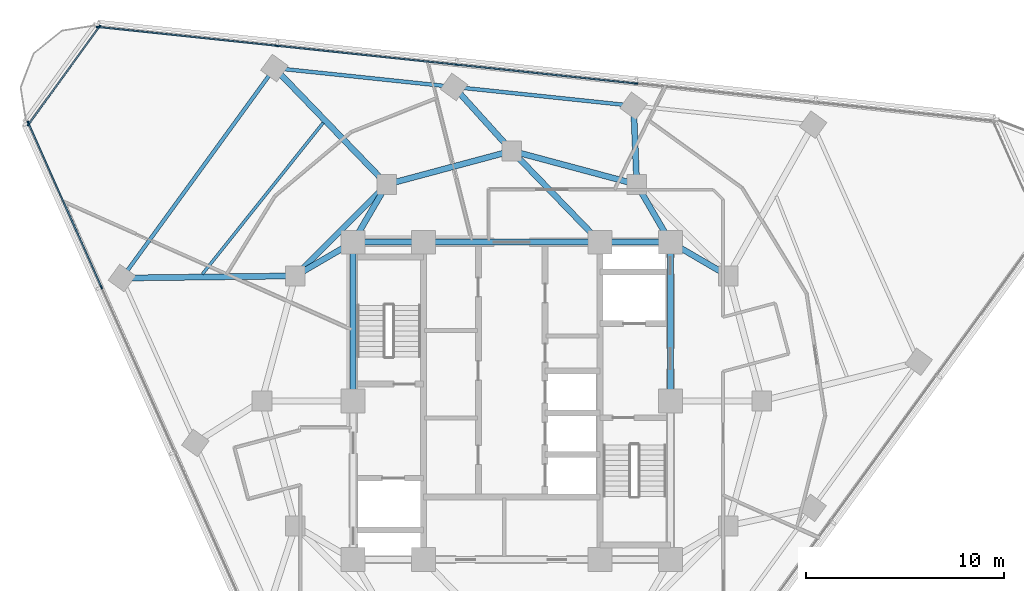
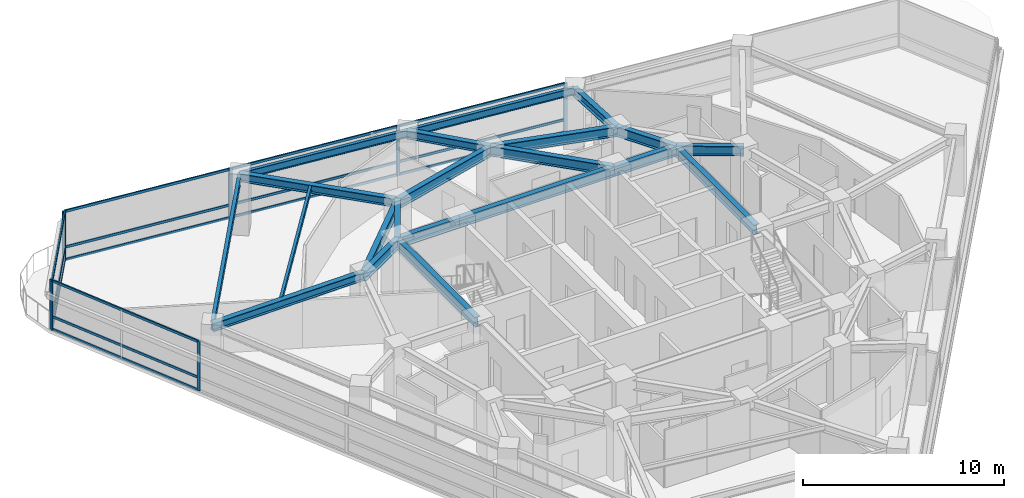
# One storey, part 5 of 15: 23 members, 21 beams, 3 elements without a shape of their own.
"""IFC4 building model written with IfcOpenShell, lengths in metres."""

from ifc_helpers import new_model, si_unit, direction, frame, origin, origin_2d, place, context, subcontext, project, spatial, rectangle, i_section, extrude, material, layer, layer_set, material_profile, profile_set, type_object, element, aggregate, save


model = new_model("IFC4")

# Units and contexts
model_context = context("Model", 3, precision=1e-05, world=origin(), true_north=direction((0.0, 1.0)))
body_context = subcontext(model_context, "Body", "Model", "MODEL_VIEW")
ifc_project = project(units=[si_unit("LENGTHUNIT", "METRE"), si_unit("AREAUNIT", "SQUARE_METRE"), si_unit("VOLUMEUNIT", "CUBIC_METRE"), si_unit("PLANEANGLEUNIT", "RADIAN"), si_unit("MASSUNIT", "GRAM", prefix="KILO")], contexts=[model_context])

# Site, building, storey
site_placement = place(None, origin())
site = spatial("IfcSite", under=ifc_project, at=site_placement, CompositionType="ELEMENT")
building_placement = place(site_placement, origin())
building = spatial("IfcBuilding", under=site, at=building_placement, Name="Terralouvre Media Tower", CompositionType="ELEMENT")
storey_placement = place(building_placement, frame((0.0, 0.0, 230.0)))
storey = spatial("IfcBuildingStorey", under=building, at=storey_placement, Name="L59", CompositionType="ELEMENT", Elevation=230.0)

# Beam
ifc_material_1 = material(Name="Structural steel S355J2", Category="steel")
ifc_material_profile_1 = material_profile(ifc_material_1, i_section(OverallWidth=0.14990234375, OverallDepth=0.300048828125, WebThickness=0.007080078125, FlangeThickness=0.0107421875, at=origin_2d()), Name="IPE 300")
ifc_profile_set_1 = profile_set([ifc_material_profile_1], Name="Structural steel S355J2")
beam_type_1 = type_object("IfcBeamType", Name="Composite Floor Joist J-IPE300 (IPE 300)", PredefinedType="JOIST", material=ifc_profile_set_1)
beam_1_placement = place(storey_placement, frame((-9.507568359375, 14.0205078125, 3.35009765625), z_axis=(-0.623938489158, -0.781473455561, 0.0), x_axis=(0.781473455561, -0.623938489158, 0.0)))
element("IfcBeam", 1, at=beam_1_placement, inside=storey, type_object=beam_type_1, Name="L59 Framing Beam JT-L59-05", PredefinedType="JOIST", context=body_context, shape_type="SweptSolid", body=[
    extrude(i_section(OverallWidth=0.14990234375, OverallDepth=0.300048828125, WebThickness=0.007080078125, FlangeThickness=0.0107421875, at=origin_2d()), origin(), (0.0, 0.0, 1.0), 9.763427734375),
])

# Curtain wall, members
ifc_material_2 = material(Name="Low-iron laminated double glazing with solar-control coating", Category="glass")
ifc_layer_1 = layer(ifc_material_2, 0.1650390625, Name="Upper Executive Tower Curtain Wall CW-05")
ifc_layer_set_1 = layer_set([ifc_layer_1], Name="Low-iron laminated double glazing with solar-control coating")
curtain_wall_type_1 = type_object("IfcCurtainWallType", Name="Upper Executive Tower Curtain Wall CW-05", PredefinedType="NOTDEFINED", material=ifc_layer_set_1)
curtain_wall_1_placement = place(storey_placement, origin())
curtain_wall_1 = element("IfcCurtainWall", 2, at=curtain_wall_1_placement, inside=storey, type_object=curtain_wall_type_1, Name="L59 Facade Curtain Wall F1", PredefinedType="NOTDEFINED")
ifc_material_3 = material(Name="Anodised extruded aluminium 6063-T6", Category="aluminium")
ifc_material_profile_2 = material_profile(ifc_material_3, rectangle(XDim=0.074951171875, YDim=0.14990234375, at=origin_2d()), Name="ALU 75x150")
ifc_profile_set_2 = profile_set([ifc_material_profile_2], Name="Anodised extruded aluminium 6063-T6")
member_type_1 = type_object("IfcMemberType", Name="Curtain-Wall Horizontal Transom TR-150", PredefinedType="USERDEFINED", material=ifc_profile_set_2)
member_1_placement = place(storey_placement, frame((6.21923828125, 16.002197265625, 0.03759765625), z_axis=(-0.994522041896, 0.104527069141, 0.0), x_axis=(-0.104527069141, -0.994522041896, 0.0)))
member_1 = element("IfcMember", 3, at=member_1_placement, type_object=member_type_1, Name="CW-05 transom 3.1", ObjectType="TRANSOM", PredefinedType="USERDEFINED", context=body_context, shape_type="SweptSolid", body=[
    extrude(rectangle(XDim=0.074951171875, YDim=0.14990234375, at=origin_2d()), origin(), (0.0, 0.0, 1.0), 9.025146484375),
])
member_2_placement = place(storey_placement, frame((6.21923828125, 16.002197265625, 0.800048828125), z_axis=(-0.994522041896, 0.104527069141, 0.0), x_axis=(-0.104527069141, -0.994522041896, 0.0)))
member_2 = element("IfcMember", 4, at=member_2_placement, type_object=member_type_1, Name="CW-05 transom 3.2", ObjectType="TRANSOM", PredefinedType="USERDEFINED", context=body_context, shape_type="SweptSolid", body=[
    extrude(rectangle(XDim=0.074951171875, YDim=0.14990234375, at=origin_2d()), origin(), (0.0, 0.0, 1.0), 9.025146484375),
])
member_3_placement = place(storey_placement, frame((6.21923828125, 16.002197265625, 2.96240234375), z_axis=(-0.994522041896, 0.104527069141, 0.0), x_axis=(-0.104527069141, -0.994522041896, 0.0)))
member_3 = element("IfcMember", 5, at=member_3_placement, type_object=member_type_1, Name="CW-05 transom 3.3", ObjectType="TRANSOM", PredefinedType="USERDEFINED", context=body_context, shape_type="SweptSolid", body=[
    extrude(rectangle(XDim=0.074951171875, YDim=0.14990234375, at=origin_2d()), origin(), (0.0, 0.0, 1.0), 9.025146484375),
])
member_4_placement = place(storey_placement, frame((-2.830810546875, 16.95361328125, 0.03759765625), z_axis=(-0.994522041896, 0.104527069141, 0.0), x_axis=(-0.104527069141, -0.994522041896, 0.0)))
member_4 = element("IfcMember", 6, at=member_4_placement, type_object=member_type_1, Name="CW-05 transom 4.1", ObjectType="TRANSOM", PredefinedType="USERDEFINED", context=body_context, shape_type="SweptSolid", body=[
    extrude(rectangle(XDim=0.074951171875, YDim=0.14990234375, at=origin_2d()), origin(), (0.0, 0.0, 1.0), 9.025146484375),
])
member_5_placement = place(storey_placement, frame((-2.830810546875, 16.95361328125, 0.800048828125), z_axis=(-0.994522041896, 0.104527069141, 0.0), x_axis=(-0.104527069141, -0.994522041896, 0.0)))
member_5 = element("IfcMember", 7, at=member_5_placement, type_object=member_type_1, Name="CW-05 transom 4.2", ObjectType="TRANSOM", PredefinedType="USERDEFINED", context=body_context, shape_type="SweptSolid", body=[
    extrude(rectangle(XDim=0.074951171875, YDim=0.14990234375, at=origin_2d()), origin(), (0.0, 0.0, 1.0), 9.025146484375),
])
member_6_placement = place(storey_placement, frame((-2.830810546875, 16.95361328125, 2.96240234375), z_axis=(-0.994522041896, 0.104527069141, 0.0), x_axis=(-0.104527069141, -0.994522041896, 0.0)))
member_6 = element("IfcMember", 8, at=member_6_placement, type_object=member_type_1, Name="CW-05 transom 4.3", ObjectType="TRANSOM", PredefinedType="USERDEFINED", context=body_context, shape_type="SweptSolid", body=[
    extrude(rectangle(XDim=0.074951171875, YDim=0.14990234375, at=origin_2d()), origin(), (0.0, 0.0, 1.0), 9.025146484375),
])
member_7_placement = place(storey_placement, frame((-11.881103515625, 17.90478515625, 0.03759765625), z_axis=(-0.994521813919, 0.104529238206, 0.0), x_axis=(-0.104529238206, -0.994521813919, 0.0)))
member_7 = element("IfcMember", 9, at=member_7_placement, type_object=member_type_1, Name="CW-05 transom 5.1", ObjectType="TRANSOM", PredefinedType="USERDEFINED", context=body_context, shape_type="SweptSolid", body=[
    extrude(rectangle(XDim=0.074951171875, YDim=0.14990234375, at=origin_2d()), origin(), (0.0, 0.0, 1.0), 8.987548828125),
])
member_8_placement = place(storey_placement, frame((-11.881103515625, 17.90478515625, 0.800048828125), z_axis=(-0.994521813919, 0.104529238206, 0.0), x_axis=(-0.104529238206, -0.994521813919, 0.0)))
member_8 = element("IfcMember", 10, at=member_8_placement, type_object=member_type_1, Name="CW-05 transom 5.2", ObjectType="TRANSOM", PredefinedType="USERDEFINED", context=body_context, shape_type="SweptSolid", body=[
    extrude(rectangle(XDim=0.074951171875, YDim=0.14990234375, at=origin_2d()), origin(), (0.0, 0.0, 1.0), 8.987548828125),
])
member_9_placement = place(storey_placement, frame((-11.881103515625, 17.90478515625, 2.96240234375), z_axis=(-0.994521813919, 0.104529238206, 0.0), x_axis=(-0.104529238206, -0.994521813919, 0.0)))
member_9 = element("IfcMember", 11, at=member_9_placement, type_object=member_type_1, Name="CW-05 transom 5.3", ObjectType="TRANSOM", PredefinedType="USERDEFINED", context=body_context, shape_type="SweptSolid", body=[
    extrude(rectangle(XDim=0.074951171875, YDim=0.14990234375, at=origin_2d()), origin(), (0.0, 0.0, 1.0), 8.987548828125),
])

curtain_wall_2_placement = place(storey_placement, origin())
curtain_wall_2 = element("IfcCurtainWall", 12, at=curtain_wall_2_placement, inside=storey, type_object=curtain_wall_type_1, Name="L59 Facade Curtain Wall F2", PredefinedType="NOTDEFINED")
member_10_placement = place(storey_placement, frame((-24.35546875, 13.97705078125, 0.03759765625), z_axis=(0.406758390963, -0.913535774549, 0.0), x_axis=(0.913535774549, 0.406758390963, 0.0)))
member_10 = element("IfcMember", 13, at=member_10_placement, type_object=member_type_1, Name="CW-05 transom 1.1", ObjectType="TRANSOM", PredefinedType="USERDEFINED", context=body_context, shape_type="SweptSolid", body=[
    extrude(rectangle(XDim=0.074951171875, YDim=0.14990234375, at=origin_2d()), origin(), (0.0, 0.0, 1.0), 8.987548828125),
])
member_11_placement = place(storey_placement, frame((-24.35546875, 13.97705078125, 0.800048828125), z_axis=(0.406758390963, -0.913535774549, 0.0), x_axis=(0.913535774549, 0.406758390963, 0.0)))
member_11 = element("IfcMember", 14, at=member_11_placement, type_object=member_type_1, Name="CW-05 transom 1.2", ObjectType="TRANSOM", PredefinedType="USERDEFINED", context=body_context, shape_type="SweptSolid", body=[
    extrude(rectangle(XDim=0.074951171875, YDim=0.14990234375, at=origin_2d()), origin(), (0.0, 0.0, 1.0), 8.987548828125),
])
member_12_placement = place(storey_placement, frame((-24.35546875, 13.97705078125, 2.96240234375), z_axis=(0.406758390963, -0.913535774549, 0.0), x_axis=(0.913535774549, 0.406758390963, 0.0)))
member_12 = element("IfcMember", 15, at=member_12_placement, type_object=member_type_1, Name="CW-05 transom 1.3", ObjectType="TRANSOM", PredefinedType="USERDEFINED", context=body_context, shape_type="SweptSolid", body=[
    extrude(rectangle(XDim=0.074951171875, YDim=0.14990234375, at=origin_2d()), origin(), (0.0, 0.0, 1.0), 8.987548828125),
])

ifc_material_4 = material(Name="Low-iron laminated double glazing with solar-control coating", Category="glass")
ifc_layer_2 = layer(ifc_material_4, 0.1650390625, Name="Rounded Wind-Corner Curved Glazing CW-04")
ifc_layer_set_2 = layer_set([ifc_layer_2], Name="Low-iron laminated double glazing with solar-control coating")
curtain_wall_type_2 = type_object("IfcCurtainWallType", Name="Rounded Wind-Corner Curved Glazing CW-04", PredefinedType="NOTDEFINED", material=ifc_layer_set_2)
curtain_wall_3_placement = place(storey_placement, origin())
curtain_wall_3 = element("IfcCurtainWall", 16, at=curtain_wall_3_placement, inside=storey, type_object=curtain_wall_type_2, Name="L59 Rounded Wind-Corner Curtain Wall C2", PredefinedType="NOTDEFINED")
member_13_placement = place(storey_placement, frame((-20.812255859375, 18.828369140625, 0.03759765625), z_axis=(-0.58777959511, -0.809021104528, 0.0), x_axis=(0.809021104528, -0.58777959511, 0.0)))
member_13 = element("IfcMember", 17, at=member_13_placement, type_object=member_type_1, Name="CW-04 transom 1.1", ObjectType="TRANSOM", PredefinedType="USERDEFINED", context=body_context, shape_type="SweptSolid", body=[
    extrude(rectangle(XDim=0.074951171875, YDim=0.14990234375, at=origin_2d()), origin(), (0.0, 0.0, 1.0), 5.99853515625),
])
member_14_placement = place(storey_placement, frame((-20.812255859375, 18.828369140625, 0.800048828125), z_axis=(-0.58777959511, -0.809021104528, 0.0), x_axis=(0.809021104528, -0.58777959511, 0.0)))
member_14 = element("IfcMember", 18, at=member_14_placement, type_object=member_type_1, Name="CW-04 transom 1.2", ObjectType="TRANSOM", PredefinedType="USERDEFINED", context=body_context, shape_type="SweptSolid", body=[
    extrude(rectangle(XDim=0.074951171875, YDim=0.14990234375, at=origin_2d()), origin(), (0.0, 0.0, 1.0), 5.99853515625),
])
member_15_placement = place(storey_placement, frame((-20.812255859375, 18.828369140625, 2.96240234375), z_axis=(-0.58777959511, -0.809021104528, 0.0), x_axis=(0.809021104528, -0.58777959511, 0.0)))
member_15 = element("IfcMember", 19, at=member_15_placement, type_object=member_type_1, Name="CW-04 transom 1.3", ObjectType="TRANSOM", PredefinedType="USERDEFINED", context=body_context, shape_type="SweptSolid", body=[
    extrude(rectangle(XDim=0.074951171875, YDim=0.14990234375, at=origin_2d()), origin(), (0.0, 0.0, 1.0), 5.99853515625),
])

# Member
ifc_material_5 = material(Name="Anodised extruded aluminium 6063-T6", Category="aluminium")
ifc_material_profile_3 = material_profile(ifc_material_5, rectangle(XDim=0.074951171875, YDim=0.179931640625, at=origin_2d()), Name="ALU 75x180")
ifc_profile_set_3 = profile_set([ifc_material_profile_3], Name="Anodised extruded aluminium 6063-T6")
member_type_2 = type_object("IfcMemberType", Name="Curtain-Wall Vertical Mullion ML-180", PredefinedType="MULLION", material=ifc_profile_set_3)
member_16_placement = place(storey_placement, frame((6.256591796875, 15.998291015625, 0.0), z_axis=(0.0, 0.0, 1.0), x_axis=(-0.104528561651, -0.994521885028, 0.0)))
member_16 = element("IfcMember", 20, at=member_16_placement, type_object=member_type_2, Name="CW-05 mullion 3", PredefinedType="MULLION", context=body_context, shape_type="SweptSolid", body=[
    extrude(rectangle(XDim=0.074951171875, YDim=0.179931640625, at=origin_2d()), origin(), (0.0, 0.0, 1.0), 3.0),
])

member_17_placement = place(storey_placement, frame((-2.793701171875, 16.949462890625, 0.0), z_axis=(0.0, 0.0, 1.0), x_axis=(-0.104528561651, -0.994521885028, 0.0)))
member_17 = element("IfcMember", 21, at=member_17_placement, type_object=member_type_2, Name="CW-05 mullion 4", PredefinedType="MULLION", context=body_context, shape_type="SweptSolid", body=[
    extrude(rectangle(XDim=0.074951171875, YDim=0.179931640625, at=origin_2d()), origin(), (0.0, 0.0, 1.0), 3.0),
])

member_18_placement = place(storey_placement, frame((-11.84375, 17.90087890625, 0.0), z_axis=(0.0, 0.0, 1.0), x_axis=(-0.104528561651, -0.994521885028, 0.0)))
member_18 = element("IfcMember", 22, at=member_18_placement, type_object=member_type_2, Name="CW-05 mullion 5", PredefinedType="MULLION", context=body_context, shape_type="SweptSolid", body=[
    extrude(rectangle(XDim=0.074951171875, YDim=0.179931640625, at=origin_2d()), origin(), (0.0, 0.0, 1.0), 3.0),
])

member_19_placement = place(storey_placement, frame((-20.856689453125, 18.84814453125, 0.0), z_axis=(0.0, 0.0, 1.0), x_axis=(-0.104528561651, -0.994521885028, 0.0)))
member_19 = element("IfcMember", 23, at=member_19_placement, type_object=member_type_2, Name="CW-05 mullion 6", PredefinedType="MULLION", context=body_context, shape_type="SweptSolid", body=[
    extrude(rectangle(XDim=0.074951171875, YDim=0.179931640625, at=origin_2d()), origin(), (0.0, 0.0, 1.0), 3.0),
])

aggregate(curtain_wall_1, [member_16, member_17, member_18, member_19, member_1, member_2, member_3, member_4, member_5, member_6, member_7, member_8, member_9])

member_20_placement = place(storey_placement, frame((-24.37060546875, 14.011474609375, 0.0), z_axis=(0.0, 0.0, 1.0), x_axis=(0.913545441365, 0.406736679636, 0.0)))
member_20 = element("IfcMember", 24, at=member_20_placement, type_object=member_type_2, Name="CW-05 mullion 1", PredefinedType="MULLION", context=body_context, shape_type="SweptSolid", body=[
    extrude(rectangle(XDim=0.074951171875, YDim=0.179931640625, at=origin_2d()), origin(), (0.0, 0.0, 1.0), 3.0),
])

member_21_placement = place(storey_placement, frame((-20.6845703125, 5.732421875, 0.0), z_axis=(0.0, 0.0, 1.0), x_axis=(0.913545441365, 0.406736679636, 0.0)))
member_21 = element("IfcMember", 25, at=member_21_placement, type_object=member_type_2, Name="CW-05 mullion 2", PredefinedType="MULLION", context=body_context, shape_type="SweptSolid", body=[
    extrude(rectangle(XDim=0.074951171875, YDim=0.179931640625, at=origin_2d()), origin(), (0.0, 0.0, 1.0), 3.0),
])

aggregate(curtain_wall_2, [member_20, member_21, member_10, member_11, member_12])

member_22_placement = place(storey_placement, frame((-20.7900390625, 18.858642578125, 0.0), z_axis=(0.0, 0.0, 1.0), x_axis=(0.809016531067, -0.58778588998, 0.0)))
member_22 = element("IfcMember", 26, at=member_22_placement, type_object=member_type_2, Name="CW-04 mullion 1", PredefinedType="MULLION", context=body_context, shape_type="SweptSolid", body=[
    extrude(rectangle(XDim=0.074951171875, YDim=0.179931640625, at=origin_2d()), origin(), (0.0, 0.0, 1.0), 3.0),
])

member_23_placement = place(storey_placement, frame((-24.360107421875, 13.94482421875, 0.0), z_axis=(0.0, 0.0, 1.0), x_axis=(0.809016531067, -0.58778588998, 0.0)))
member_23 = element("IfcMember", 27, at=member_23_placement, type_object=member_type_2, Name="CW-04 mullion 2", PredefinedType="MULLION", context=body_context, shape_type="SweptSolid", body=[
    extrude(rectangle(XDim=0.074951171875, YDim=0.179931640625, at=origin_2d()), origin(), (0.0, 0.0, 1.0), 3.0),
])

aggregate(curtain_wall_3, [member_22, member_23, member_13, member_14, member_15])

# Beams
ifc_material_6 = material(Name="Structural steel S355J2", Category="steel")
ifc_material_profile_4 = material_profile(ifc_material_6, i_section(OverallWidth=0.18994140625, OverallDepth=0.449951171875, WebThickness=0.009521484375, FlangeThickness=0.0146484375, at=origin_2d()), Name="IPE 450")
ifc_profile_set_4 = profile_set([ifc_material_profile_4], Name="Structural steel S355J2")
beam_type_2 = type_object("IfcBeamType", Name="Perimeter Spandrel Beam SPB-450 (IPE 450)", PredefinedType="SPANDREL", material=ifc_profile_set_4)
beam_2_placement = place(storey_placement, frame((6.138427734375, 14.87451171875, 3.27490234375), z_axis=(-0.994522199081, 0.104525573596, 0.0), x_axis=(-0.104525573596, -0.994522199081, 0.0)))
element("IfcBeam", 28, at=beam_2_placement, inside=storey, type_object=beam_type_2, Name="L59 Framing Beam BM-L59-PR09", PredefinedType="SPANDREL", context=body_context, shape_type="SweptSolid", body=[
    extrude(i_section(OverallWidth=0.18994140625, OverallDepth=0.449951171875, WebThickness=0.009521484375, FlangeThickness=0.0146484375, at=origin_2d()), origin(), (0.0, 0.0, 1.0), 9.099853515625),
])
beam_3_placement = place(storey_placement, frame((-2.91162109375, 15.82568359375, 3.27490234375), z_axis=(-0.994522492191, 0.10452278472, 0.0), x_axis=(-0.10452278472, -0.994522492191, 0.0)))
element("IfcBeam", 29, at=beam_3_placement, inside=storey, type_object=beam_type_2, Name="L59 Framing Beam BM-L59-PR10", PredefinedType="SPANDREL", context=body_context, shape_type="SweptSolid", body=[
    extrude(i_section(OverallWidth=0.18994140625, OverallDepth=0.449951171875, WebThickness=0.009521484375, FlangeThickness=0.0146484375, at=origin_2d()), origin(), (0.0, 0.0, 1.0), 9.10009765625),
])
beam_4_placement = place(storey_placement, frame((-11.9619140625, 16.77685546875, 3.27490234375), z_axis=(-0.587794396272, -0.809010350806, 0.0), x_axis=(0.809010350806, -0.587794396272, 0.0)))
element("IfcBeam", 30, at=beam_4_placement, inside=storey, type_object=beam_type_2, Name="L59 Framing Beam BM-L59-PR11", PredefinedType="SPANDREL", context=body_context, shape_type="SweptSolid", body=[
    extrude(i_section(OverallWidth=0.18994140625, OverallDepth=0.449951171875, WebThickness=0.009521484375, FlangeThickness=0.0146484375, at=origin_2d()), origin(), (0.0, 0.0, 1.0), 13.08349609375),
])
ifc_material_7 = material(Name="Structural steel S355J2", Category="steel")
ifc_material_profile_5 = material_profile(ifc_material_7, i_section(OverallWidth=0.300048828125, OverallDepth=0.5, WebThickness=0.014404296875, FlangeThickness=0.028076171875, at=origin_2d()), Name="HEB 500")
ifc_profile_set_5 = profile_set([ifc_material_profile_5], Name="Structural steel S355J2")
beam_type_3 = type_object("IfcBeamType", Name="Primary Floor Girder B-HEB500 (HEB 500)", PredefinedType="BEAM", material=ifc_profile_set_5)
beam_5_placement = place(storey_placement, frame((6.300048828125, 10.911865234375, 3.25), z_axis=(-0.040752268141, 0.999169281274, 0.0), x_axis=(-0.999169281274, -0.040752268141, 0.0)))
element("IfcBeam", 31, at=beam_5_placement, inside=storey, type_object=beam_type_3, Name="L59 Framing Beam BM-L59-RD09", PredefinedType="BEAM", context=body_context, shape_type="SweptSolid", body=[
    extrude(i_section(OverallWidth=0.300048828125, OverallDepth=0.5, WebThickness=0.014404296875, FlangeThickness=0.028076171875, at=origin_2d()), origin(), (0.0, 0.0, 1.0), 3.9658203125),
])
beam_6_placement = place(storey_placement, frame((0.0, 12.60009765625, 3.25), z_axis=(-0.670056658177, 0.742309958732, 0.0), x_axis=(-0.742309958732, -0.670056658177, 0.0)))
element("IfcBeam", 32, at=beam_6_placement, inside=storey, type_object=beam_type_3, Name="L59 Framing Beam BM-L59-RD10", PredefinedType="BEAM", context=body_context, shape_type="SweptSolid", body=[
    extrude(i_section(OverallWidth=0.300048828125, OverallDepth=0.5, WebThickness=0.014404296875, FlangeThickness=0.028076171875, at=origin_2d()), origin(), (0.0, 0.0, 1.0), 4.34521484375),
])
beam_7_placement = place(storey_placement, frame((-6.300048828125, 10.911865234375, 3.25), z_axis=(-0.694538392484, 0.719455642389, 0.0), x_axis=(-0.719455642389, -0.694538392484, 0.0)))
element("IfcBeam", 33, at=beam_7_placement, inside=storey, type_object=beam_type_3, Name="L59 Framing Beam BM-L59-RD11", PredefinedType="BEAM", context=body_context, shape_type="SweptSolid", body=[
    extrude(i_section(OverallWidth=0.300048828125, OverallDepth=0.5, WebThickness=0.014404296875, FlangeThickness=0.028076171875, at=origin_2d()), origin(), (0.0, 0.0, 1.0), 8.152099609375),
])
beam_8_placement = place(storey_placement, frame((-10.911865234375, 6.300048828125, 3.25), z_axis=(-0.999923796559, -0.012345083045, 0.0), x_axis=(0.012345083045, -0.999923796559, 0.0)))
element("IfcBeam", 34, at=beam_8_placement, inside=storey, type_object=beam_type_3, Name="L59 Framing Beam BM-L59-RD12", PredefinedType="BEAM", context=body_context, shape_type="SweptSolid", body=[
    extrude(i_section(OverallWidth=0.300048828125, OverallDepth=0.5, WebThickness=0.014404296875, FlangeThickness=0.028076171875, at=origin_2d()), origin(), (0.0, 0.0, 1.0), 8.7412109375),
])
ifc_material_8 = material(Name="Structural steel S460M", Category="steel")
ifc_material_profile_6 = material_profile(ifc_material_8, i_section(OverallWidth=0.300048828125, OverallDepth=0.60009765625, WebThickness=0.015380859375, FlangeThickness=0.030029296875, at=origin_2d()), Name="HEB 600")
ifc_profile_set_6 = profile_set([ifc_material_profile_6], Name="Structural steel S460M")
beam_type_4 = type_object("IfcBeamType", Name="Primary Floor Girder B-HEB600 (HEB 600)", PredefinedType="BEAM", material=ifc_profile_set_6)
beam_9_placement = place(storey_placement, frame((8.0, 0.0, 3.199951171875), z_axis=(0.0, 1.0, 0.0), x_axis=(-1.0, 0.0, 0.0)))
element("IfcBeam", 35, at=beam_9_placement, inside=storey, type_object=beam_type_4, Name="L59 Framing Beam BM-L59-CPR05", PredefinedType="BEAM", context=body_context, shape_type="SweptSolid", body=[
    extrude(i_section(OverallWidth=0.300048828125, OverallDepth=0.60009765625, WebThickness=0.015380859375, FlangeThickness=0.030029296875, at=origin_2d()), origin(), (0.0, 0.0, 1.0), 8.0),
])
beam_10_placement = place(storey_placement, frame((8.0, 8.0, 3.199951171875), z_axis=(-1.0, 0.0, 0.0), x_axis=(0.0, -1.0, 0.0)))
element("IfcBeam", 36, at=beam_10_placement, inside=storey, type_object=beam_type_4, Name="L59 Framing Beam BM-L59-CPR06", PredefinedType="BEAM", context=body_context, shape_type="SweptSolid", body=[
    extrude(i_section(OverallWidth=0.300048828125, OverallDepth=0.60009765625, WebThickness=0.015380859375, FlangeThickness=0.030029296875, at=origin_2d()), origin(), (0.0, 0.0, 1.0), 3.550048828125),
])
beam_11_placement = place(storey_placement, frame((4.449951171875, 8.0, 3.199951171875), z_axis=(-1.0, 0.0, 0.0), x_axis=(0.0, -1.0, 0.0)))
element("IfcBeam", 37, at=beam_11_placement, inside=storey, type_object=beam_type_4, Name="L59 Framing Beam BM-L59-CPR07", PredefinedType="BEAM", context=body_context, shape_type="SweptSolid", body=[
    extrude(i_section(OverallWidth=0.300048828125, OverallDepth=0.60009765625, WebThickness=0.015380859375, FlangeThickness=0.030029296875, at=origin_2d()), origin(), (0.0, 0.0, 1.0), 8.89990234375),
])
beam_12_placement = place(storey_placement, frame((-4.449951171875, 8.0, 3.199951171875), z_axis=(-1.0, 0.0, 0.0), x_axis=(0.0, -1.0, 0.0)))
element("IfcBeam", 38, at=beam_12_placement, inside=storey, type_object=beam_type_4, Name="L59 Framing Beam BM-L59-CPR08", PredefinedType="BEAM", context=body_context, shape_type="SweptSolid", body=[
    extrude(i_section(OverallWidth=0.300048828125, OverallDepth=0.60009765625, WebThickness=0.015380859375, FlangeThickness=0.030029296875, at=origin_2d()), origin(), (0.0, 0.0, 1.0), 3.550048828125),
])
beam_13_placement = place(storey_placement, frame((-8.0, 8.0, 3.199951171875), z_axis=(0.0, -1.0, 0.0), x_axis=(1.0, 0.0, 0.0)))
element("IfcBeam", 39, at=beam_13_placement, inside=storey, type_object=beam_type_4, Name="L59 Framing Beam BM-L59-CPR09", PredefinedType="BEAM", context=body_context, shape_type="SweptSolid", body=[
    extrude(i_section(OverallWidth=0.300048828125, OverallDepth=0.60009765625, WebThickness=0.015380859375, FlangeThickness=0.030029296875, at=origin_2d()), origin(), (0.0, 0.0, 1.0), 8.0),
])
for number, where, z_axis, x_axis, name in (
    (40, (6.300048828125, 10.911865234375, 3.199951171875), (-0.965920481897, 0.258838989821, 0.0), (-0.258838989821, -0.965920481897, 0.0), "L59 Framing Beam BM-L59-MR08"),
    (41, (0.0, 12.60009765625, 3.199951171875), (-0.965920481897, -0.258838989821, 0.0), (0.258838989821, -0.965920481897, 0.0), "L59 Framing Beam BM-L59-MR09"),
):
    element("IfcBeam", number, at=place(storey_placement, frame(where, z_axis=z_axis, x_axis=x_axis)), inside=storey, type_object=beam_type_4, Name=name, PredefinedType="BEAM", context=body_context, shape_type="SweptSolid", body=[
        extrude(i_section(OverallWidth=0.300048828125, OverallDepth=0.60009765625, WebThickness=0.015380859375, FlangeThickness=0.030029296875, at=origin_2d()), origin(), (0.0, 0.0, 1.0), 6.522216796875),
    ])
beam_14_placement = place(storey_placement, frame((-6.300048828125, 10.911865234375, 3.199951171875), z_axis=(-0.707106781187, -0.707106781187, 0.0), x_axis=(0.707106781187, -0.707106781187, 0.0)))
element("IfcBeam", 42, at=beam_14_placement, inside=storey, type_object=beam_type_4, Name="L59 Framing Beam BM-L59-MR10", PredefinedType="BEAM", context=body_context, shape_type="SweptSolid", body=[
    extrude(i_section(OverallWidth=0.300048828125, OverallDepth=0.60009765625, WebThickness=0.015380859375, FlangeThickness=0.030029296875, at=origin_2d()), origin(), (0.0, 0.0, 1.0), 6.52197265625),
])
for number, where, z_axis, x_axis, name in (
    (43, (8.0, 8.0, 3.199951171875), (0.863602894532, -0.504172629717, 0.0), (0.504172629717, 0.863602894532, 0.0), "L59 Framing Beam BM-L59-CM07"),
    (44, (8.0, 8.0, 3.199951171875), (-0.504172629717, 0.863602894532, 0.0), (-0.863602894532, -0.504172629717, 0.0), "L59 Framing Beam BM-L59-CM08"),
):
    element("IfcBeam", number, at=place(storey_placement, frame(where, z_axis=z_axis, x_axis=x_axis)), inside=storey, type_object=beam_type_4, Name=name, PredefinedType="BEAM", context=body_context, shape_type="SweptSolid", body=[
        extrude(i_section(OverallWidth=0.300048828125, OverallDepth=0.60009765625, WebThickness=0.015380859375, FlangeThickness=0.030029296875, at=origin_2d()), origin(), (0.0, 0.0, 1.0), 3.371826171875),
    ])
beam_15_placement = place(storey_placement, frame((4.449951171875, 8.0, 3.199951171875), z_axis=(-0.695279715726, 0.718739255155, 0.0), x_axis=(-0.718739255155, -0.695279715726, 0.0)))
element("IfcBeam", 45, at=beam_15_placement, inside=storey, type_object=beam_type_4, Name="L59 Framing Beam BM-L59-CM09", PredefinedType="BEAM", context=body_context, shape_type="SweptSolid", body=[
    extrude(i_section(OverallWidth=0.300048828125, OverallDepth=0.60009765625, WebThickness=0.015380859375, FlangeThickness=0.030029296875, at=origin_2d()), origin(), (0.0, 0.0, 1.0), 6.400146484375),
])
for number, where, z_axis, x_axis, name in (
    (46, (-8.0, 8.0, 3.199951171875), (0.504172629717, 0.863602894532, 0.0), (-0.863602894532, 0.504172629717, 0.0), "L59 Framing Beam BM-L59-CM10"),
    (47, (-8.0, 8.0, 3.199951171875), (-0.863602894532, -0.504172629717, 0.0), (0.504172629717, -0.863602894532, 0.0), "L59 Framing Beam BM-L59-CM11"),
):
    element("IfcBeam", number, at=place(storey_placement, frame(where, z_axis=z_axis, x_axis=x_axis)), inside=storey, type_object=beam_type_4, Name=name, PredefinedType="BEAM", context=body_context, shape_type="SweptSolid", body=[
        extrude(i_section(OverallWidth=0.300048828125, OverallDepth=0.60009765625, WebThickness=0.015380859375, FlangeThickness=0.030029296875, at=origin_2d()), origin(), (0.0, 0.0, 1.0), 3.371826171875),
    ])

save(model, "model.ifc")
